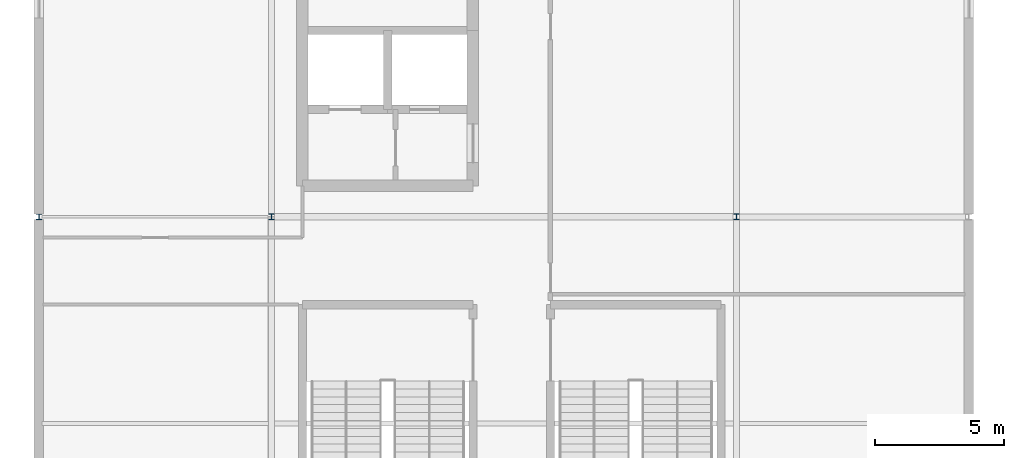
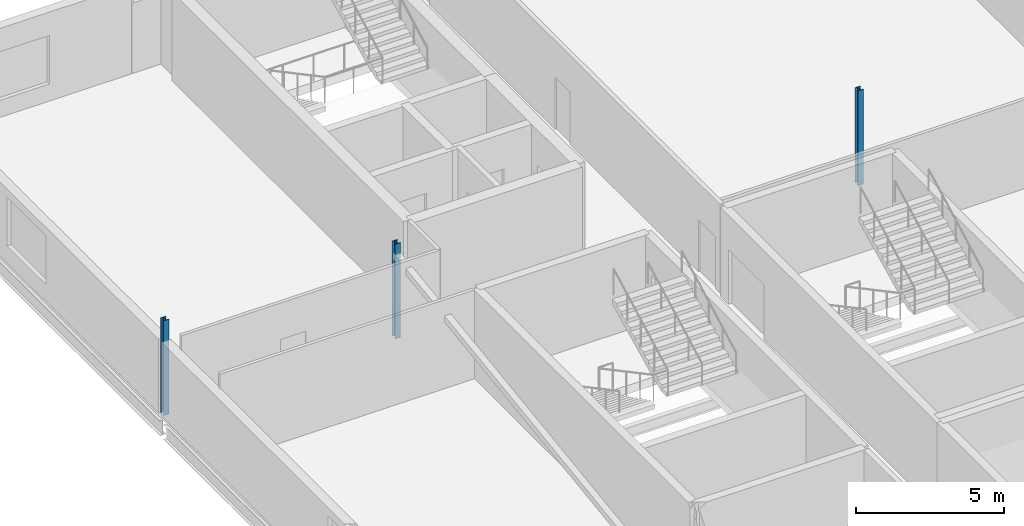
# One storey, part 6 of 35: 3 columns.
"""IFC4 building model written with IfcOpenShell, lengths in metres."""

from ifc_helpers import new_model, si_unit, direction, frame, origin, origin_2d, place, context, subcontext, project, spatial, i_section, extrude, material, material_profile, profile_set, type_object, element, save


model = new_model("IFC4")

# Units and contexts
model_context = context("Model", 3, precision=1e-05, world=origin(), true_north=direction((0.0, 1.0)))
body_context = subcontext(model_context, "Body", "Model", "MODEL_VIEW")
ifc_project = project(units=[si_unit("LENGTHUNIT", "METRE"), si_unit("AREAUNIT", "SQUARE_METRE"), si_unit("VOLUMEUNIT", "CUBIC_METRE"), si_unit("PLANEANGLEUNIT", "RADIAN"), si_unit("MASSUNIT", "GRAM", prefix="KILO")], contexts=[model_context])

# Site, building, storey
site_placement = place(None, origin())
site = spatial("IfcSite", under=ifc_project, at=site_placement, CompositionType="ELEMENT")
building_placement = place(site_placement, origin())
building = spatial("IfcBuilding", under=site, at=building_placement, Name="Kisiwana Market Hall", CompositionType="ELEMENT")
storey_placement = place(building_placement, frame((0.0, 0.0, 57.89990234375)))
storey = spatial("IfcBuildingStorey", under=building, at=storey_placement, Name="L13", CompositionType="ELEMENT", Elevation=57.89990234375)

# Columns
ifc_material_1 = material(Name="Steel S355", Category="steel")
ifc_material_profile_1 = material_profile(ifc_material_1, i_section(OverallWidth=0.205810546875, OverallDepth=0.209716796875, WebThickness=0.009521484375, FlangeThickness=0.01416015625, FilletRadius=0.01025390625, at=origin_2d()), Name="UC 203x203x60")
ifc_profile_set_1 = profile_set([ifc_material_profile_1], Name="Steel S355")
column_type_1 = type_object("IfcColumnType", Name="COL-STL-UC060", PredefinedType="COLUMN", material=ifc_profile_set_1)
column_placement = place(storey_placement, frame((0.0, 84.0, 0.0), z_axis=(0.0, 0.0, 1.0), x_axis=(1.0, 0.0, 0.0)))
element("IfcColumn", 1, at=column_placement, inside=storey, type_object=column_type_1, Name="Column L/1 (L13) C-1405", PredefinedType="COLUMN", context=body_context, shape_type="SweptSolid", body=[
    extrude(i_section(OverallWidth=0.205810546875, OverallDepth=0.209716796875, WebThickness=0.009521484375, FlangeThickness=0.01416015625, FilletRadius=0.01025390625, at=origin_2d()), origin(), (0.0, 0.0, 1.0), 3.900146484375),
])
ifc_material_2 = material(Name="Steel S355", Category="steel")
ifc_material_profile_2 = material_profile(ifc_material_2, i_section(OverallWidth=0.208984375, OverallDepth=0.22216796875, WebThickness=0.0126953125, FlangeThickness=0.0205078125, FilletRadius=0.01025390625, at=origin_2d()), Name="UC 203x203x86")
ifc_profile_set_2 = profile_set([ifc_material_profile_2], Name="Steel S355")
column_type_2 = type_object("IfcColumnType", Name="COL-STL-UC086", PredefinedType="COLUMN", material=ifc_profile_set_2)
for number, where, z_axis, x_axis, name in (
    (2, (9.0, 84.0, 0.0), (0.0, 0.0, 1.0), (1.0, 0.0, 0.0), "Column L/2 (L13) C-1409"),
    (3, (27.0, 84.0, 0.0), (0.0, 0.0, 1.0), (1.0, 0.0, 0.0), "Column L/4 (L13) C-1414"),
):
    element("IfcColumn", number, at=place(storey_placement, frame(where, z_axis=z_axis, x_axis=x_axis)), inside=storey, type_object=column_type_2, Name=name, PredefinedType="COLUMN", context=body_context, shape_type="SweptSolid", body=[
        extrude(i_section(OverallWidth=0.208984375, OverallDepth=0.22216796875, WebThickness=0.0126953125, FlangeThickness=0.0205078125, FilletRadius=0.01025390625, at=origin_2d()), origin(), (0.0, 0.0, 1.0), 3.900146484375),
    ])

save(model, "model.ifc")
